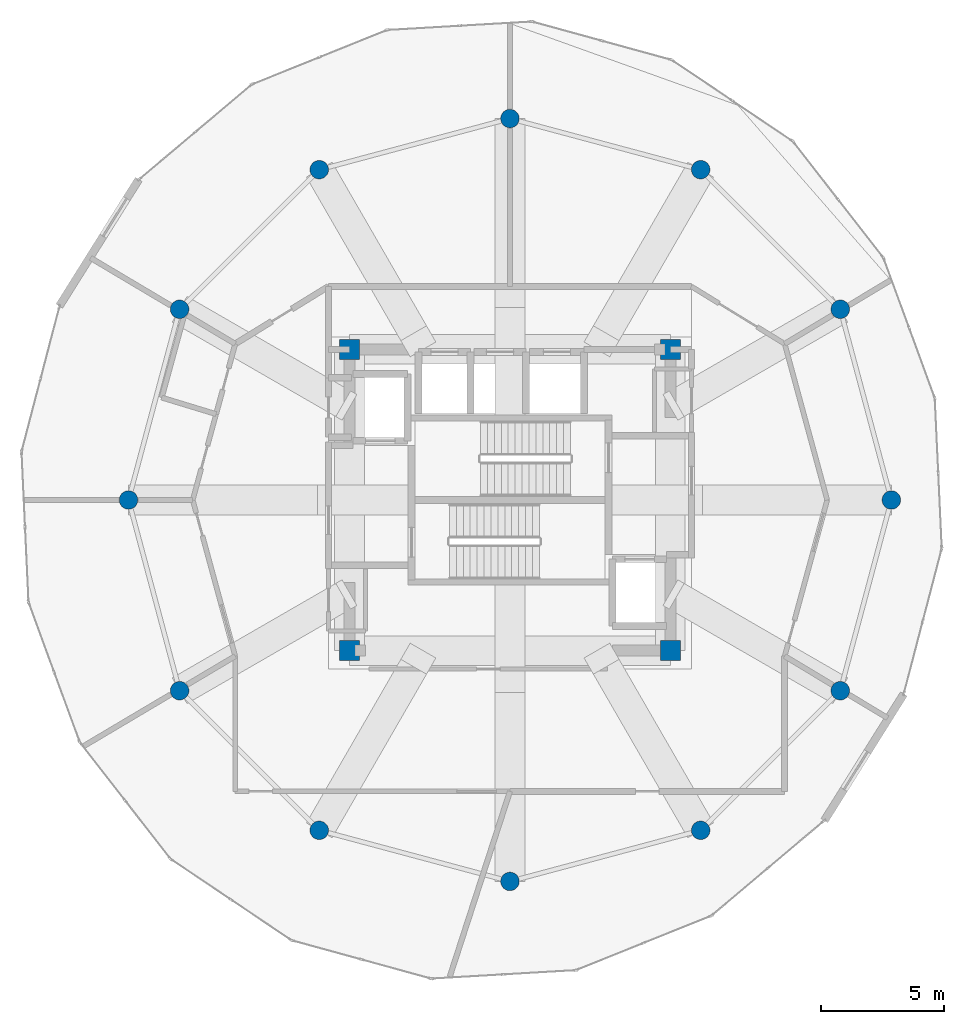
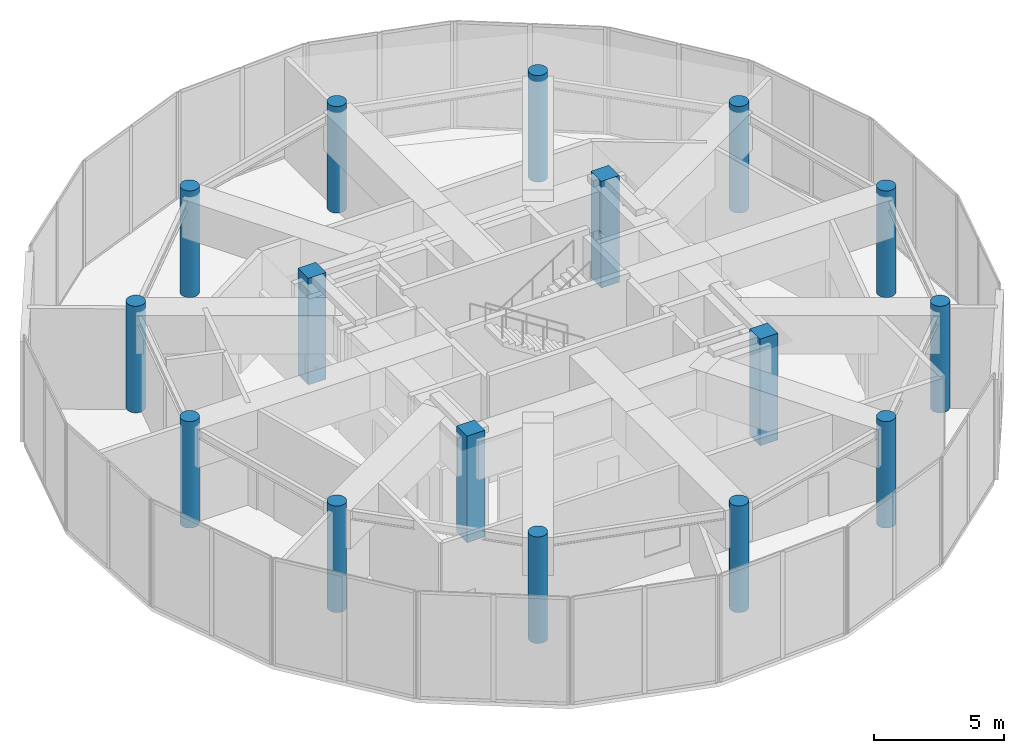
# One storey, part 1 of 20: 16 columns.
"""IFC4 building model written with IfcOpenShell, lengths in metres."""

import ifcopenshell
import ifcopenshell.guid

model = None  # the IFC model being written
_history = None  # IfcOwnerHistory: only IFC2X3 demands one
_inside = {}  # id of a spatial element -> (the spatial element, [elements in it])
_under = {}  # id of a project, library or spatial element -> (it, [spatial elements below it])
_declared = {}  # id of a project -> (the project, [libraries it declares])
_typed = {}  # id of a type object -> (the type object, [elements of that type])
_made_of = {}  # id of a material, layer set ... -> (it, [elements and type objects made of it])


def new_model(schema):
    """Start an empty IFC model of exactly this schema.

    Asked for "IFC4X3", IfcOpenShell would pick the latest addendum, in which some entities
    have other attributes; the version numbers below select the first issue.
    IFC2X3 requires an IfcOwnerHistory on every rooted entity: one is made here for all.
    """
    global model, _history
    if schema == "IFC4X3":
        model = ifcopenshell.file(schema_version=(4, 3, 0, 0))
    else:
        model = ifcopenshell.file(schema=schema)
    _inside.clear()
    _under.clear()
    _declared.clear()
    _typed.clear()
    _made_of.clear()
    _history = None
    if model.schema == "IFC2X3":
        org = make("IfcOrganization", Name="unknown")
        user = make(
            "IfcPersonAndOrganization",
            ThePerson=make("IfcPerson", FamilyName="unknown"),
            TheOrganization=org,
        )
        app = make(
            "IfcApplication",
            ApplicationDeveloper=org,
            Version="unknown",
            ApplicationFullName="unknown",
            ApplicationIdentifier="unknown",
        )
        _history = make(
            "IfcOwnerHistory",
            OwningUser=user,
            OwningApplication=app,
            ChangeAction="ADDED",
            CreationDate=0,
        )
    return model


def make(cls, **values):
    """One entity of the class cls with the attributes given. An attribute that is None is left unset."""
    return model.create_entity(
        cls, **{name: value for name, value in values.items() if value is not None}
    )


def rooted(cls, **values):
    """An entity with a GlobalId (a new one), such as an element, a storey or a relation."""
    return make(cls, GlobalId=ifcopenshell.guid.new(), OwnerHistory=_history, **values)


def si_unit(unit_type, name, prefix=None):
    """IfcSIUnit, for example si_unit("LENGTHUNIT", "METRE", prefix="MILLI")."""
    return make("IfcSIUnit", UnitType=unit_type, Prefix=prefix, Name=name)


def assignment(units):
    """IfcUnitAssignment: the units of a project."""
    return None if units is None else make("IfcUnitAssignment", Units=units)


def point(xyz):
    """IfcCartesianPoint."""
    return None if xyz is None else make("IfcCartesianPoint", Coordinates=xyz)


def direction(xyz):
    """IfcDirection."""
    return None if xyz is None else make("IfcDirection", DirectionRatios=xyz)


def frame(location, z_axis=None, x_axis=None):
    """IfcAxis2Placement3D, a coordinate frame: its origin and axes. An axis left out is left unset."""
    return make(
        "IfcAxis2Placement3D",
        Location=point(location),
        Axis=direction(z_axis),
        RefDirection=direction(x_axis),
    )


def frame_2d(location, x_axis=None):
    """IfcAxis2Placement2D, a coordinate frame in the plane: its origin and x axis."""
    return make(
        "IfcAxis2Placement2D", Location=point(location), RefDirection=direction(x_axis)
    )


def origin():
    """The frame at (0, 0, 0) with its axes left unset."""
    return frame((0.0, 0.0, 0.0))


def origin_2d():
    """The frame at (0, 0) in the plane with its x axis left unset."""
    return frame_2d((0.0, 0.0))


def place(relative_to, where):
    """IfcLocalPlacement: puts the frame where relative to a parent placement (None: the world)."""
    return make(
        "IfcLocalPlacement", PlacementRelTo=relative_to, RelativePlacement=where
    )


def context(
    kind, dimensions, precision=None, world=None, true_north=None, identifier=None
):
    """IfcGeometricRepresentationContext, for example the 3D "Model" context."""
    return make(
        "IfcGeometricRepresentationContext",
        ContextIdentifier=identifier,
        ContextType=kind,
        CoordinateSpaceDimension=dimensions,
        Precision=precision,
        WorldCoordinateSystem=world,
        TrueNorth=true_north,
    )


def subcontext(parent, identifier, kind, view, scale=None):
    """IfcGeometricRepresentationSubContext, for example "Body" below "Model"."""
    return make(
        "IfcGeometricRepresentationSubContext",
        ContextIdentifier=identifier,
        ContextType=kind,
        ParentContext=parent,
        TargetScale=scale,
        TargetView=view,
    )


def project(units=None, contexts=None):
    """IfcProject with its units and contexts."""
    return rooted(
        "IfcProject",
        Name="project",
        RepresentationContexts=contexts,
        UnitsInContext=assignment(units),
    )


def spatial(cls, under=None, at=None, **own):
    """A site, building, storey or space (cls), placed at a placement, below another one or the project."""
    s = rooted(cls, ObjectPlacement=at, **own)
    if under is not None:
        _under.setdefault(under.id(), (under, []))[1].append(s)
    return s


def profile(cls, at=None, kind="AREA", **sizes):
    """A parametric profile (cls). Its sizes go by their IFC names, for example OverallWidth=200.0."""
    return make(cls, ProfileType=kind, Position=at, **sizes)


def rectangle(**sizes):
    """IfcRectangleProfileDef."""
    return profile("IfcRectangleProfileDef", **sizes)


def circle(**sizes):
    """IfcCircleProfileDef."""
    return profile("IfcCircleProfileDef", **sizes)


def extrude(swept, where, along, depth):
    """IfcExtrudedAreaSolid: the profile swept, set in the frame where, extruded along a direction by depth."""
    return make(
        "IfcExtrudedAreaSolid",
        SweptArea=swept,
        Position=where,
        ExtrudedDirection=direction(along),
        Depth=depth,
    )


def shape(context_of_items, identifier, shape_type, items):
    """IfcShapeRepresentation: the items that make up one representation, for example the "Body"."""
    return make(
        "IfcShapeRepresentation",
        ContextOfItems=context_of_items,
        RepresentationIdentifier=identifier,
        RepresentationType=shape_type,
        Items=items,
    )


def material(Name=None, Category=None):
    """IfcMaterial."""
    return make("IfcMaterial", Name=Name, Category=Category)


def material_profile(
    of_material, cross_section, Name=None, Category=None, Priority=None
):
    """IfcMaterialProfile: a cross section and its material."""
    return make(
        "IfcMaterialProfile",
        Name=Name,
        Material=of_material,
        Profile=cross_section,
        Priority=Priority,
        Category=Category,
    )


def profile_set(profiles, Name=None, composite=None):
    """IfcMaterialProfileSet."""
    return make(
        "IfcMaterialProfileSet",
        Name=Name,
        MaterialProfiles=profiles,
        CompositeProfile=composite,
    )


def made_of(thing, what):
    """Note that an element or type object is made of a material, layer set ...; save() writes the relation."""
    if what is not None:
        _made_of.setdefault(what.id(), (what, []))[1].append(thing)
    return thing


def type_object(cls, material=None, **own):
    """A type object (cls), such as IfcWallType, which elements share."""
    return made_of(rooted(cls, **own), material)


def element(
    cls,
    number,
    at=None,
    inside=None,
    cuts=None,
    type_object=None,
    material=None,
    context=None,
    identifier="Body",
    shape_type=None,
    held_by="IfcProductDefinitionShape",
    body=None,
    shapes=None,
    **own,
):
    """One element of the class cls, such as IfcWall. Its Tag is "e" and its number.

    at: its placement. inside: the storey or other place that contains it. cuts: it is an
    opening in that element (IfcRelVoidsElement). A single representation is given by context,
    identifier, shape_type and body (its items); several are given by shapes. held_by: the class
    of the entity that holds the representations. save() writes the other relations.
    """
    e = rooted(cls, Tag="e%d" % number, ObjectPlacement=at, **own)
    if body is not None:
        shapes = [shape(context, identifier, shape_type, body)]
    if shapes is not None:
        e.Representation = make(held_by, Representations=shapes)
    if inside is not None:
        _inside.setdefault(inside.id(), (inside, []))[1].append(e)
    if cuts is not None:
        rooted(
            "IfcRelVoidsElement", RelatingBuildingElement=cuts, RelatedOpeningElement=e
        )
    if type_object is not None:
        _typed.setdefault(type_object.id(), (type_object, []))[1].append(e)
    return made_of(e, material)


def aggregate(whole, parts):
    """IfcRelAggregates: a whole, such as a stair, and the parts it consists of."""
    return rooted("IfcRelAggregates", RelatingObject=whole, RelatedObjects=parts)


def save(model, path):
    """Write the relations noted so far, then the file.

    IfcRelAggregates (storeys below a building ...), IfcRelContainedInSpatialStructure (elements
    in a storey), IfcRelDefinesByType, IfcRelAssociatesMaterial and IfcRelDeclares: one each for
    every whole, place, type object, material and project.
    """
    for whole, parts in _under.values():
        aggregate(whole, parts)
    for where, things in _inside.values():
        rooted(
            "IfcRelContainedInSpatialStructure",
            RelatedElements=things,
            RelatingStructure=where,
        )
    for kind, things in _typed.values():
        rooted("IfcRelDefinesByType", RelatedObjects=things, RelatingType=kind)
    for what, things in _made_of.values():
        rooted("IfcRelAssociatesMaterial", RelatedObjects=things, RelatingMaterial=what)
    for by, libraries in _declared.values():
        rooted("IfcRelDeclares", RelatingContext=by, RelatedDefinitions=libraries)
    model.write(path)


model = new_model("IFC4")

# Units and contexts
model_context = context("Model", 3, precision=1e-05, world=origin(), true_north=direction((0.0, 1.0)))
body_context = subcontext(model_context, "Body", "Model", "MODEL_VIEW")
ifc_project = project(units=[si_unit("LENGTHUNIT", "METRE"), si_unit("AREAUNIT", "SQUARE_METRE"), si_unit("VOLUMEUNIT", "CUBIC_METRE"), si_unit("PLANEANGLEUNIT", "RADIAN"), si_unit("MASSUNIT", "GRAM", prefix="KILO")], contexts=[model_context])

# Site, building, storey
site_placement = place(None, origin())
site = spatial("IfcSite", under=ifc_project, at=site_placement, CompositionType="ELEMENT")
building_placement = place(site_placement, origin())
building = spatial("IfcBuilding", under=site, at=building_placement, Name="Solvirekh Grand Hotel", CompositionType="ELEMENT")
storey_placement = place(building_placement, frame((0.0, 0.0, 297.199951171875)))
storey = spatial("IfcBuildingStorey", under=building, at=storey_placement, Name="L77", CompositionType="ELEMENT", Elevation=297.199951171875)

# Columns
ifc_material = material(Name="Concrete C50/60", Category="concrete")
ifc_material_profile_1 = material_profile(ifc_material, rectangle(XDim=0.800048828125, YDim=0.800048828125, at=origin_2d()), Name="RC 800X800")
ifc_profile_set_1 = profile_set([ifc_material_profile_1], Name="Concrete C50/60")
column_type_1 = type_object("IfcColumnType", Name="Col_Core_800", PredefinedType="COLUMN", material=ifc_profile_set_1)
for number, where, z_axis, x_axis, name in (
    (1, (-6.5, -6.10009765625, 0.0), (0.0, 0.0, 1.0), (1.0, 0.0, 0.0), "L77 core corner column CC1"),
    (2, (6.5, -6.10009765625, 0.0), (0.0, 0.0, 1.0), (1.0, 0.0, 0.0), "L77 core corner column CC2"),
    (3, (6.5, 6.10009765625, 0.0), (0.0, 0.0, 1.0), (1.0, 0.0, 0.0), "L77 core corner column CC3"),
    (4, (-6.5, 6.10009765625, 0.0), (0.0, 0.0, 1.0), (1.0, 0.0, 0.0), "L77 core corner column CC4"),
):
    element("IfcColumn", number, at=place(storey_placement, frame(where, z_axis=z_axis, x_axis=x_axis)), inside=storey, type_object=column_type_1, Name=name, PredefinedType="COLUMN", context=body_context, shape_type="SweptSolid", body=[
        extrude(rectangle(XDim=0.800048828125, YDim=0.800048828125, at=origin_2d()), origin(), (0.0, 0.0, 1.0), 5.0),
    ])
ifc_material_profile_2 = material_profile(ifc_material, circle(Radius=0.375, at=origin_2d()), Name="RC CIRC D750")
ifc_profile_set_2 = profile_set([ifc_material_profile_2], Name="Concrete C50/60")
column_type_2 = type_object("IfcColumnType", Name="Col_Z4_D750", PredefinedType="COLUMN", material=ifc_profile_set_2)
for number, where, z_axis, x_axis, name in (
    (5, (15.449951171875, 0.0, 0.0), (0.0, 0.0, 1.0), (1.0, 0.0, 0.0), "L77 perimeter column P01"),
    (6, (13.3798828125, 7.72509765625, 0.0), (0.0, 0.0, 1.0), (1.0, 0.0, 0.0), "L77 perimeter column P02"),
    (7, (7.72509765625, 13.3798828125, 0.0), (0.0, 0.0, 1.0), (1.0, 0.0, 0.0), "L77 perimeter column P03"),
    (8, (0.0, 15.449951171875, 0.0), (0.0, 0.0, 1.0), (1.0, 0.0, 0.0), "L77 perimeter column P04"),
    (9, (-7.72509765625, 13.3798828125, 0.0), (0.0, 0.0, 1.0), (1.0, 0.0, 0.0), "L77 perimeter column P05"),
    (10, (-13.3798828125, 7.72509765625, 0.0), (0.0, 0.0, 1.0), (1.0, 0.0, 0.0), "L77 perimeter column P06"),
    (11, (-15.449951171875, 0.0, 0.0), (0.0, 0.0, 1.0), (1.0, 0.0, 0.0), "L77 perimeter column P07"),
    (12, (-13.3798828125, -7.72509765625, 0.0), (0.0, 0.0, 1.0), (1.0, 0.0, 0.0), "L77 perimeter column P08"),
    (13, (-7.72509765625, -13.3798828125, 0.0), (0.0, 0.0, 1.0), (1.0, 0.0, 0.0), "L77 perimeter column P09"),
    (14, (0.0, -15.449951171875, 0.0), (0.0, 0.0, 1.0), (1.0, 0.0, 0.0), "L77 perimeter column P10"),
    (15, (7.72509765625, -13.3798828125, 0.0), (0.0, 0.0, 1.0), (1.0, 0.0, 0.0), "L77 perimeter column P11"),
    (16, (13.3798828125, -7.72509765625, 0.0), (0.0, 0.0, 1.0), (1.0, 0.0, 0.0), "L77 perimeter column P12"),
):
    element("IfcColumn", number, at=place(storey_placement, frame(where, z_axis=z_axis, x_axis=x_axis)), inside=storey, type_object=column_type_2, Name=name, PredefinedType="COLUMN", context=body_context, shape_type="SweptSolid", body=[
        extrude(circle(Radius=0.375, at=origin_2d()), origin(), (0.0, 0.0, 1.0), 5.0),
    ])

save(model, "model.ifc")
